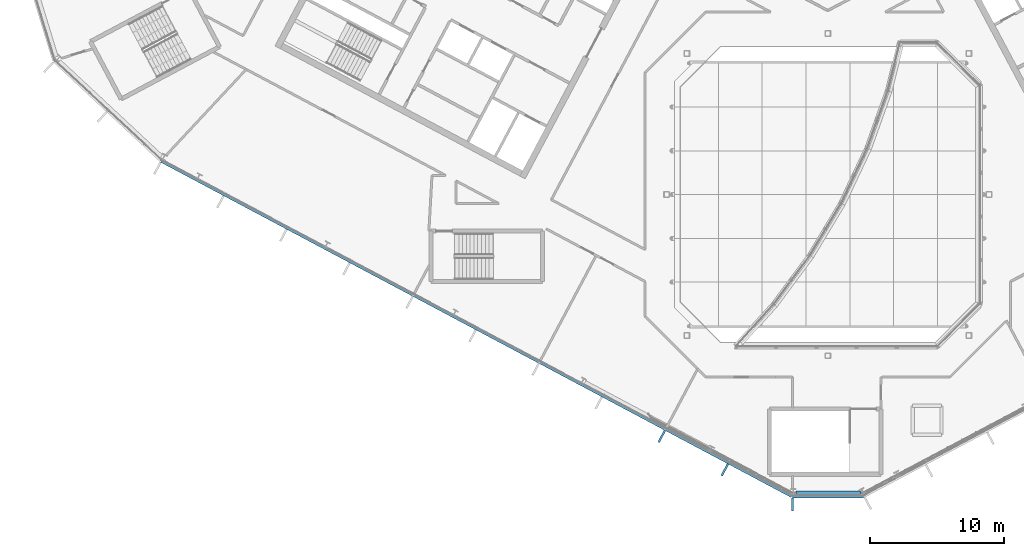
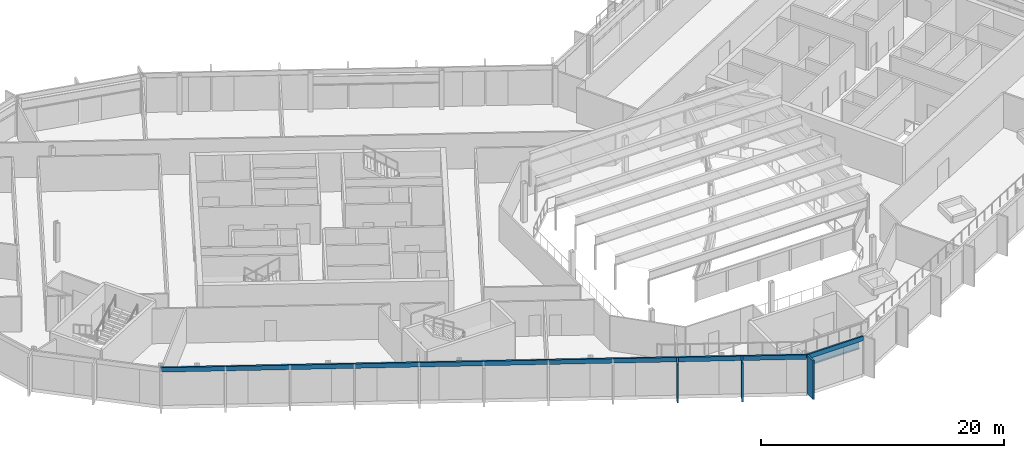
# One storey, part 12 of 35: 5 members, 1 beam, 2 elements without a shape of their own.
"""IFC4 building model written with IfcOpenShell, lengths in metres."""

from ifc_helpers import new_model, si_unit, direction, frame, origin, origin_2d, place, context, subcontext, project, spatial, rectangle, i_section, extrude, material, layer, layer_set, material_profile, profile_set, type_object, element, aggregate, save


model = new_model("IFC4")

# Units and contexts
model_context = context("Model", 3, precision=1e-05, world=origin(), true_north=direction((0.0, 1.0)))
body_context = subcontext(model_context, "Body", "Model", "MODEL_VIEW")
ifc_project = project(units=[si_unit("LENGTHUNIT", "METRE"), si_unit("AREAUNIT", "SQUARE_METRE"), si_unit("VOLUMEUNIT", "CUBIC_METRE"), si_unit("PLANEANGLEUNIT", "RADIAN"), si_unit("MASSUNIT", "GRAM", prefix="KILO")], contexts=[model_context])

# Site, building, storey
site_placement = place(None, origin())
site = spatial("IfcSite", under=ifc_project, at=site_placement, CompositionType="ELEMENT")
building_placement = place(site_placement, origin())
building = spatial("IfcBuilding", under=site, at=building_placement, Name="Cormorant Relay Tower", CompositionType="ELEMENT")
storey_placement = place(building_placement, frame((0.0, 0.0, 324.300048828125)))
storey = spatial("IfcBuildingStorey", under=building, at=storey_placement, Name="L74", CompositionType="ELEMENT", Elevation=324.300048828125)

# Curtain wall, member
ifc_material_1 = material(Name="Aluminium 6063-T6 anodised bronze", Category="aluminium")
ifc_layer = layer(ifc_material_1, 0.199951171875)
ifc_layer_set = layer_set([ifc_layer], Name="CW1 unitised bronze curtain wall with vertical fins")
curtain_wall_type = type_object("IfcCurtainWallType", Name="CW1 unitised bronze curtain wall with vertical fins", PredefinedType="NOTDEFINED", material=ifc_layer_set)
curtain_wall_1_placement = place(storey_placement, origin())
curtain_wall_1 = element("IfcCurtainWall", 1, at=curtain_wall_1_placement, inside=storey, type_object=curtain_wall_type, Name="CW1 curtain wall 1", PredefinedType="NOTDEFINED")
ifc_material_2 = material(Name="Aluminium 6063-T6 anodised bronze", Category="aluminium")
ifc_material_profile_1 = material_profile(ifc_material_2, rectangle(XDim=0.14990234375, YDim=1.0, at=origin_2d()), Name="AL 150x1000")
ifc_profile_set_1 = profile_set([ifc_material_profile_1], Name="Aluminium 6063-T6 anodised bronze")
member_type_1 = type_object("IfcMemberType", Name="CW1 bronze fin mullion 150 x 1000", PredefinedType="MULLION", material=ifc_profile_set_1)
member_1_placement = place(storey_placement, frame((-2.648681640625, -23.07568359375, 0.0), z_axis=(0.0, 0.0, 1.0), x_axis=(1.0, 0.0, 0.0)))
member_1 = element("IfcMember", 2, at=member_1_placement, type_object=member_type_1, Name="CW1 fin 1.1", PredefinedType="MULLION", context=body_context, shape_type="SweptSolid", body=[
    extrude(rectangle(XDim=0.14990234375, YDim=1.0, at=origin_2d()), origin(), (0.0, 0.0, 1.0), 3.89990234375),
])

# Curtain wall, members
curtain_wall_2_placement = place(storey_placement, origin())
curtain_wall_2 = element("IfcCurtainWall", 3, at=curtain_wall_2_placement, inside=storey, type_object=curtain_wall_type, Name="CW1 curtain wall 16", PredefinedType="NOTDEFINED")
member_2_placement = place(storey_placement, frame((-12.365966796875, -18.001708984375, 0.0), z_axis=(0.0, 0.0, 1.0), x_axis=(0.882947592859, -0.469471562786, 0.0)))
member_2 = element("IfcMember", 4, at=member_2_placement, type_object=member_type_1, Name="CW1 fin 16.9", PredefinedType="MULLION", context=body_context, shape_type="SweptSolid", body=[
    extrude(rectangle(XDim=0.14990234375, YDim=1.0, at=origin_2d()), origin(), (0.0, 0.0, 1.0), 3.89990234375),
])
member_3_placement = place(storey_placement, frame((-7.671630859375, -20.49755859375, 0.0), z_axis=(0.0, 0.0, 1.0), x_axis=(0.882947592859, -0.469471562786, 0.0)))
member_3 = element("IfcMember", 5, at=member_3_placement, type_object=member_type_1, Name="CW1 fin 16.10", PredefinedType="MULLION", context=body_context, shape_type="SweptSolid", body=[
    extrude(rectangle(XDim=0.14990234375, YDim=1.0, at=origin_2d()), origin(), (0.0, 0.0, 1.0), 3.89990234375),
])

# Member
ifc_material_3 = material(Name="Aluminium 6063-T6 anodised bronze", Category="aluminium")
ifc_material_profile_2 = material_profile(ifc_material_3, rectangle(XDim=0.159912109375, YDim=0.449951171875, at=origin_2d()), Name="AL 160x450")
ifc_profile_set_2 = profile_set([ifc_material_profile_2], Name="Aluminium 6063-T6 anodised bronze")
member_type_2 = type_object("IfcMemberType", Name="CW1 bronze transom 160 x 450", PredefinedType="USERDEFINED", material=ifc_profile_set_2)
member_4_placement = place(storey_placement, frame((-2.648681640625, -22.49560546875, 3.675048828125), z_axis=(1.0, 0.0, 0.0), x_axis=(0.0, 1.0, 0.0)))
member_4 = element("IfcMember", 6, at=member_4_placement, type_object=member_type_2, Name="CW1 transom 1", ObjectType="TRANSOM", PredefinedType="USERDEFINED", context=body_context, shape_type="SweptSolid", body=[
    extrude(rectangle(XDim=0.159912109375, YDim=0.449951171875, at=origin_2d()), origin(), (0.0, 0.0, 1.0), 5.29736328125),
])

aggregate(curtain_wall_1, [member_1, member_4])

member_5_placement = place(storey_placement, frame((-49.64794921875, 2.478515625, 3.675048828125), z_axis=(0.882947642542, -0.469471469346, 0.0), x_axis=(0.469471469346, 0.882947642542, 0.0)))
member_5 = element("IfcMember", 7, at=member_5_placement, type_object=member_type_2, Name="CW1 transom 16", ObjectType="TRANSOM", PredefinedType="USERDEFINED", context=body_context, shape_type="SweptSolid", body=[
    extrude(rectangle(XDim=0.159912109375, YDim=0.449951171875, at=origin_2d()), origin(), (0.0, 0.0, 1.0), 53.166015625),
])

aggregate(curtain_wall_2, [member_2, member_3, member_5])

# Beam
ifc_material_4 = material(Name="Steel ASTM A992 (Fy 345 MPa)", Category="steel")
ifc_material_profile_3 = material_profile(ifc_material_4, i_section(OverallWidth=0.307373046875, OverallDepth=0.927001953125, WebThickness=0.019287109375, FlangeThickness=0.031982421875, FilletRadius=0.01904296875, at=origin_2d()), Name="W920x289")
ifc_profile_set_3 = profile_set([ifc_material_profile_3], Name="Steel ASTM A992 (Fy 345 MPa)")
beam_type = type_object("IfcBeamType", Name="Spandrel W920x289", PredefinedType="SPANDREL", material=ifc_profile_set_3)
beam_placement = place(storey_placement, frame((-2.377197265625, -22.221923828125, 3.0361328125), z_axis=(1.0, 0.0, 0.0), x_axis=(0.0, 1.0, 0.0)))
element("IfcBeam", 8, at=beam_placement, inside=storey, type_object=beam_type, Name="Spandrel beam L74-001", PredefinedType="SPANDREL", context=body_context, shape_type="SweptSolid", body=[
    extrude(i_section(OverallWidth=0.307373046875, OverallDepth=0.927001953125, WebThickness=0.019287109375, FlangeThickness=0.031982421875, FilletRadius=0.01904296875, at=origin_2d()), origin(), (0.0, 0.0, 1.0), 4.79541015625),
])

save(model, "model.ifc")
